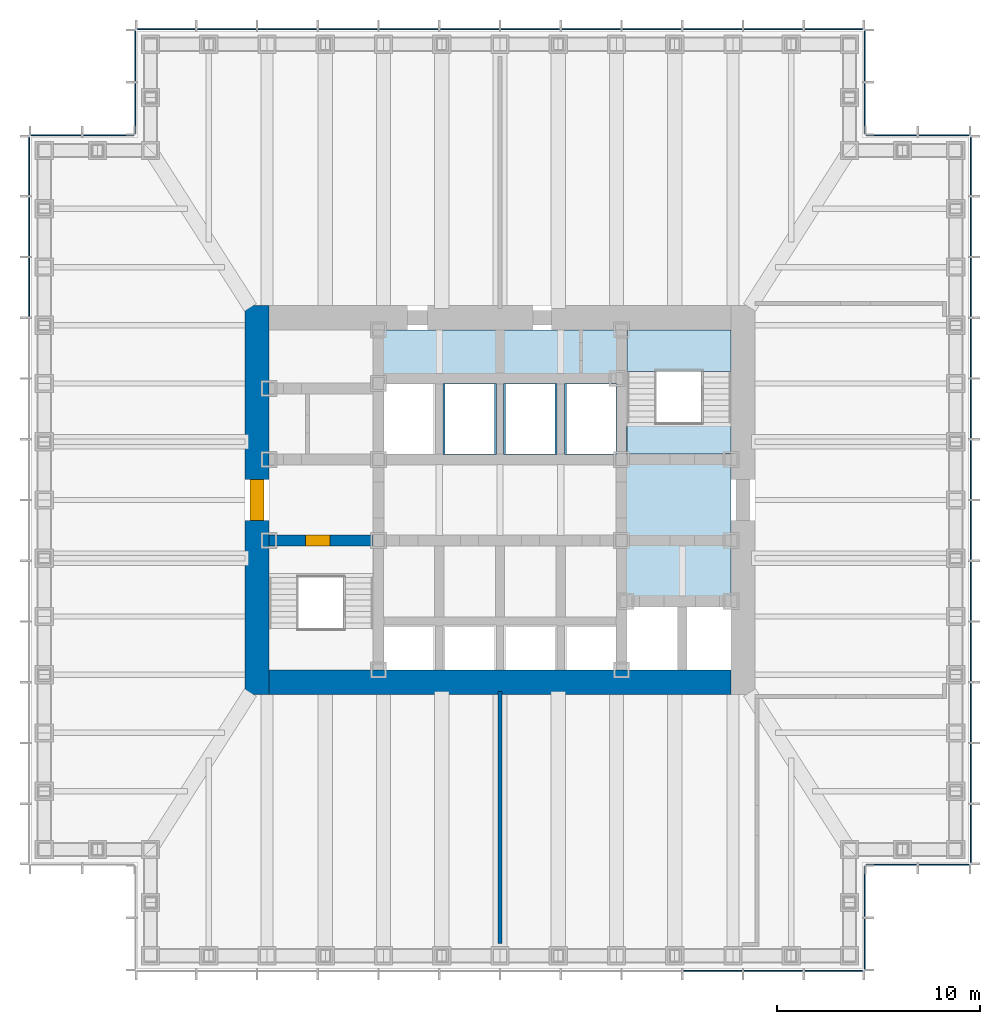
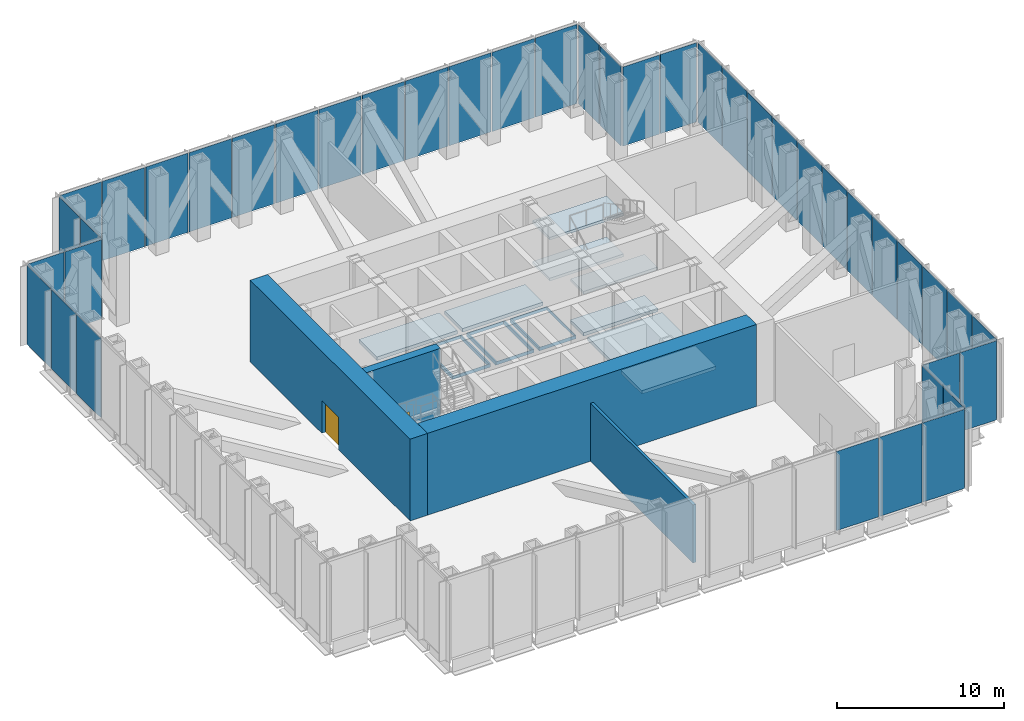
# One storey, part 6 of 13: 42 plates, 11 slabs, 4 walls, 2 doors, 2 openings, 11 elements without a shape of their own.
"""IFC4 building model written with IfcOpenShell, lengths in metres."""

from ifc_helpers import new_model, si_unit, direction, frame, frame_2d, origin, origin_2d, place, context, subcontext, project, spatial, polyline, rectangle, outline, extrude, material, layer, layer_set, type_object, element, fill, aggregate, save


model = new_model("IFC4")

# Units and contexts
model_context = context("Model", 3, precision=1e-05, world=origin(), true_north=direction((0.0, 1.0)))
body_context = subcontext(model_context, "Body", "Model", "MODEL_VIEW")
ifc_project = project(units=[si_unit("LENGTHUNIT", "METRE"), si_unit("AREAUNIT", "SQUARE_METRE"), si_unit("VOLUMEUNIT", "CUBIC_METRE"), si_unit("PLANEANGLEUNIT", "RADIAN"), si_unit("MASSUNIT", "GRAM", prefix="KILO")], contexts=[model_context])

# Site, building, storey
site_placement = place(None, origin())
site = spatial("IfcSite", under=ifc_project, at=site_placement, CompositionType="ELEMENT")
building_placement = place(site_placement, origin())
building = spatial("IfcBuilding", under=site, at=building_placement, Name="Daluyong Arena Tower", CompositionType="ELEMENT")
storey_placement = place(building_placement, frame((0.0, 0.0, 175.300048828125)))
storey = spatial("IfcBuildingStorey", under=building, at=storey_placement, Name="L39", CompositionType="ELEMENT", Elevation=175.300048828125)

# Curtain wall, plates
ifc_material_1 = material(Name="Bronze anodised aluminium and glass", Category="aluminium")
curtain_wall_type = type_object("IfcCurtainWallType", Name="Curtain wall CW6", PredefinedType="USERDEFINED", material=ifc_material_1)
curtain_wall_1_placement = place(storey_placement, origin())
curtain_wall_1 = element("IfcCurtainWall", 1, at=curtain_wall_1_placement, inside=storey, type_object=curtain_wall_type, Name="curtain wall L39 S", ObjectType="UNITISED CURTAIN WALL", PredefinedType="USERDEFINED")
ifc_material_2 = material(Name="Bronze aluminium louvre panel", Category="aluminium")
ifc_layer_1 = layer(ifc_material_2, 0.050048828125)
ifc_layer_set_1 = layer_set([ifc_layer_1], Name="Bronze aluminium louvre panel")
plate_type = type_object("IfcPlateType", Name="CW6 panel 50", PredefinedType="CURTAIN_PANEL", material=ifc_layer_set_1)
plate_1_placement = place(storey_placement, frame((66.5, 56.75, 0.0), z_axis=(0.0, 0.0, 1.0), x_axis=(1.0, 0.0, 0.0)))
plate_1 = element("IfcPlate", 2, at=plate_1_placement, type_object=plate_type, Name="curtain wall L39 S panel 10", PredefinedType="CURTAIN_PANEL", context=body_context, shape_type="SweptSolid", body=[
    extrude(rectangle(XDim=2.919921875, YDim=0.050048828125, at=origin_2d()), origin(), (0.0, 0.0, 1.0), 5.800048828125),
])
plate_2_placement = place(storey_placement, frame((69.5, 56.75, 0.0), z_axis=(0.0, 0.0, 1.0), x_axis=(1.0, 0.0, 0.0)))
plate_2 = element("IfcPlate", 3, at=plate_2_placement, type_object=plate_type, Name="curtain wall L39 S panel 11", PredefinedType="CURTAIN_PANEL", context=body_context, shape_type="SweptSolid", body=[
    extrude(rectangle(XDim=2.919921875, YDim=0.050048828125, at=origin_2d()), origin(), (0.0, 0.0, 1.0), 5.800048828125),
])
plate_3_placement = place(storey_placement, frame((72.47998046875, 56.75, 0.0), z_axis=(0.0, 0.0, 1.0), x_axis=(1.0, 0.0, 0.0)))
plate_3 = element("IfcPlate", 4, at=plate_3_placement, type_object=plate_type, Name="curtain wall L39 S panel 12", PredefinedType="CURTAIN_PANEL", context=body_context, shape_type="SweptSolid", body=[
    extrude(rectangle(XDim=2.8798828125, YDim=0.050048828125, at=origin_2d()), origin(), (0.0, 0.0, 1.0), 5.800048828125),
])
aggregate(curtain_wall_1, [plate_1, plate_2, plate_3])

curtain_wall_2_placement = place(storey_placement, origin())
curtain_wall_2 = element("IfcCurtainWall", 5, at=curtain_wall_2_placement, inside=storey, type_object=curtain_wall_type, Name="curtain wall L39 SE-E", ObjectType="UNITISED CURTAIN WALL", PredefinedType="USERDEFINED")
plate_4_placement = place(storey_placement, frame((74.0, 58.08251953125, 0.0), z_axis=(0.0, 0.0, 1.0), x_axis=(0.0, 1.0, 0.0)))
plate_4 = element("IfcPlate", 6, at=plate_4_placement, type_object=plate_type, Name="curtain wall L39 SE-E panel 1", PredefinedType="CURTAIN_PANEL", context=body_context, shape_type="SweptSolid", body=[
    extrude(rectangle(XDim=2.5048828125, YDim=0.050048828125, at=origin_2d()), origin(), (0.0, 0.0, 1.0), 5.800048828125),
])
plate_5_placement = place(storey_placement, frame((74.0, 60.66748046875, 0.0), z_axis=(0.0, 0.0, 1.0), x_axis=(0.0, 1.0, 0.0)))
plate_5 = element("IfcPlate", 7, at=plate_5_placement, type_object=plate_type, Name="curtain wall L39 SE-E panel 2", PredefinedType="CURTAIN_PANEL", context=body_context, shape_type="SweptSolid", body=[
    extrude(rectangle(XDim=2.5048828125, YDim=0.050048828125, at=origin_2d()), origin(), (0.0, 0.0, 1.0), 5.800048828125),
])
aggregate(curtain_wall_2, [plate_4, plate_5])

curtain_wall_3_placement = place(storey_placement, origin())
curtain_wall_3 = element("IfcCurtainWall", 8, at=curtain_wall_3_placement, inside=storey, type_object=curtain_wall_type, Name="curtain wall L39 SE-S", ObjectType="UNITISED CURTAIN WALL", PredefinedType="USERDEFINED")
plate_6_placement = place(storey_placement, frame((75.33251953125, 62.0, 0.0), z_axis=(0.0, 0.0, 1.0), x_axis=(1.0, 0.0, 0.0)))
plate_6 = element("IfcPlate", 9, at=plate_6_placement, type_object=plate_type, Name="curtain wall L39 SE-S panel 1", PredefinedType="CURTAIN_PANEL", context=body_context, shape_type="SweptSolid", body=[
    extrude(rectangle(XDim=2.5048828125, YDim=0.050048828125, at=origin_2d()), origin(), (0.0, 0.0, 1.0), 5.800048828125),
])
plate_7_placement = place(storey_placement, frame((77.91748046875, 62.0, 0.0), z_axis=(0.0, 0.0, 1.0), x_axis=(1.0, 0.0, 0.0)))
plate_7 = element("IfcPlate", 10, at=plate_7_placement, type_object=plate_type, Name="curtain wall L39 SE-S panel 2", PredefinedType="CURTAIN_PANEL", context=body_context, shape_type="SweptSolid", body=[
    extrude(rectangle(XDim=2.5048828125, YDim=0.050048828125, at=origin_2d()), origin(), (0.0, 0.0, 1.0), 5.800048828125),
])
aggregate(curtain_wall_3, [plate_6, plate_7])

curtain_wall_4_placement = place(storey_placement, origin())
curtain_wall_4 = element("IfcCurtainWall", 11, at=curtain_wall_4_placement, inside=storey, type_object=curtain_wall_type, Name="curtain wall L39 E", ObjectType="UNITISED CURTAIN WALL", PredefinedType="USERDEFINED")
plate_8_placement = place(storey_placement, frame((79.25, 63.52001953125, 0.0), z_axis=(0.0, 0.0, 1.0), x_axis=(0.0, 1.0, 0.0)))
plate_8 = element("IfcPlate", 12, at=plate_8_placement, type_object=plate_type, Name="curtain wall L39 E panel 1", PredefinedType="CURTAIN_PANEL", context=body_context, shape_type="SweptSolid", body=[
    extrude(rectangle(XDim=2.8798828125, YDim=0.050048828125, at=origin_2d()), origin(), (0.0, 0.0, 1.0), 5.800048828125),
])
plate_9_placement = place(storey_placement, frame((79.25, 66.5, 0.0), z_axis=(0.0, 0.0, 1.0), x_axis=(0.0, 1.0, 0.0)))
plate_9 = element("IfcPlate", 13, at=plate_9_placement, type_object=plate_type, Name="curtain wall L39 E panel 2", PredefinedType="CURTAIN_PANEL", context=body_context, shape_type="SweptSolid", body=[
    extrude(rectangle(XDim=2.919921875, YDim=0.050048828125, at=origin_2d()), origin(), (0.0, 0.0, 1.0), 5.800048828125),
])
plate_10_placement = place(storey_placement, frame((79.25, 69.5, 0.0), z_axis=(0.0, 0.0, 1.0), x_axis=(0.0, 1.0, 0.0)))
plate_10 = element("IfcPlate", 14, at=plate_10_placement, type_object=plate_type, Name="curtain wall L39 E panel 3", PredefinedType="CURTAIN_PANEL", context=body_context, shape_type="SweptSolid", body=[
    extrude(rectangle(XDim=2.919921875, YDim=0.050048828125, at=origin_2d()), origin(), (0.0, 0.0, 1.0), 5.800048828125),
])
plate_11_placement = place(storey_placement, frame((79.25, 72.5, 0.0), z_axis=(0.0, 0.0, 1.0), x_axis=(0.0, 1.0, 0.0)))
plate_11 = element("IfcPlate", 15, at=plate_11_placement, type_object=plate_type, Name="curtain wall L39 E panel 4", PredefinedType="CURTAIN_PANEL", context=body_context, shape_type="SweptSolid", body=[
    extrude(rectangle(XDim=2.919921875, YDim=0.050048828125, at=origin_2d()), origin(), (0.0, 0.0, 1.0), 5.800048828125),
])
plate_12_placement = place(storey_placement, frame((79.25, 75.5, 0.0), z_axis=(0.0, 0.0, 1.0), x_axis=(0.0, 1.0, 0.0)))
plate_12 = element("IfcPlate", 16, at=plate_12_placement, type_object=plate_type, Name="curtain wall L39 E panel 5", PredefinedType="CURTAIN_PANEL", context=body_context, shape_type="SweptSolid", body=[
    extrude(rectangle(XDim=2.919921875, YDim=0.050048828125, at=origin_2d()), origin(), (0.0, 0.0, 1.0), 5.800048828125),
])
plate_13_placement = place(storey_placement, frame((79.25, 78.5, 0.0), z_axis=(0.0, 0.0, 1.0), x_axis=(0.0, 1.0, 0.0)))
plate_13 = element("IfcPlate", 17, at=plate_13_placement, type_object=plate_type, Name="curtain wall L39 E panel 6", PredefinedType="CURTAIN_PANEL", context=body_context, shape_type="SweptSolid", body=[
    extrude(rectangle(XDim=2.919921875, YDim=0.050048828125, at=origin_2d()), origin(), (0.0, 0.0, 1.0), 5.800048828125),
])
plate_14_placement = place(storey_placement, frame((79.25, 81.5, 0.0), z_axis=(0.0, 0.0, 1.0), x_axis=(0.0, 1.0, 0.0)))
plate_14 = element("IfcPlate", 18, at=plate_14_placement, type_object=plate_type, Name="curtain wall L39 E panel 7", PredefinedType="CURTAIN_PANEL", context=body_context, shape_type="SweptSolid", body=[
    extrude(rectangle(XDim=2.919921875, YDim=0.050048828125, at=origin_2d()), origin(), (0.0, 0.0, 1.0), 5.800048828125),
])
plate_15_placement = place(storey_placement, frame((79.25, 84.5, 0.0), z_axis=(0.0, 0.0, 1.0), x_axis=(0.0, 1.0, 0.0)))
plate_15 = element("IfcPlate", 19, at=plate_15_placement, type_object=plate_type, Name="curtain wall L39 E panel 8", PredefinedType="CURTAIN_PANEL", context=body_context, shape_type="SweptSolid", body=[
    extrude(rectangle(XDim=2.919921875, YDim=0.050048828125, at=origin_2d()), origin(), (0.0, 0.0, 1.0), 5.800048828125),
])
plate_16_placement = place(storey_placement, frame((79.25, 87.5, 0.0), z_axis=(0.0, 0.0, 1.0), x_axis=(0.0, 1.0, 0.0)))
plate_16 = element("IfcPlate", 20, at=plate_16_placement, type_object=plate_type, Name="curtain wall L39 E panel 9", PredefinedType="CURTAIN_PANEL", context=body_context, shape_type="SweptSolid", body=[
    extrude(rectangle(XDim=2.919921875, YDim=0.050048828125, at=origin_2d()), origin(), (0.0, 0.0, 1.0), 5.800048828125),
])
plate_17_placement = place(storey_placement, frame((79.25, 90.5, 0.0), z_axis=(0.0, 0.0, 1.0), x_axis=(0.0, 1.0, 0.0)))
plate_17 = element("IfcPlate", 21, at=plate_17_placement, type_object=plate_type, Name="curtain wall L39 E panel 10", PredefinedType="CURTAIN_PANEL", context=body_context, shape_type="SweptSolid", body=[
    extrude(rectangle(XDim=2.919921875, YDim=0.050048828125, at=origin_2d()), origin(), (0.0, 0.0, 1.0), 5.800048828125),
])
plate_18_placement = place(storey_placement, frame((79.25, 93.5, 0.0), z_axis=(0.0, 0.0, 1.0), x_axis=(0.0, 1.0, 0.0)))
plate_18 = element("IfcPlate", 22, at=plate_18_placement, type_object=plate_type, Name="curtain wall L39 E panel 11", PredefinedType="CURTAIN_PANEL", context=body_context, shape_type="SweptSolid", body=[
    extrude(rectangle(XDim=2.919921875, YDim=0.050048828125, at=origin_2d()), origin(), (0.0, 0.0, 1.0), 5.800048828125),
])
plate_19_placement = place(storey_placement, frame((79.25, 96.47998046875, 0.0), z_axis=(0.0, 0.0, 1.0), x_axis=(0.0, 1.0, 0.0)))
plate_19 = element("IfcPlate", 23, at=plate_19_placement, type_object=plate_type, Name="curtain wall L39 E panel 12", PredefinedType="CURTAIN_PANEL", context=body_context, shape_type="SweptSolid", body=[
    extrude(rectangle(XDim=2.8798828125, YDim=0.050048828125, at=origin_2d()), origin(), (0.0, 0.0, 1.0), 5.800048828125),
])
aggregate(curtain_wall_4, [plate_8, plate_9, plate_10, plate_11, plate_12, plate_13, plate_14, plate_15, plate_16, plate_17, plate_18, plate_19])

curtain_wall_5_placement = place(storey_placement, origin())
curtain_wall_5 = element("IfcCurtainWall", 24, at=curtain_wall_5_placement, inside=storey, type_object=curtain_wall_type, Name="curtain wall L39 NE-N", ObjectType="UNITISED CURTAIN WALL", PredefinedType="USERDEFINED")
plate_20_placement = place(storey_placement, frame((77.91748046875, 98.0, 0.0), z_axis=(0.0, 0.0, 1.0), x_axis=(-1.0, 0.0, 0.0)))
plate_20 = element("IfcPlate", 25, at=plate_20_placement, type_object=plate_type, Name="curtain wall L39 NE-N panel 1", PredefinedType="CURTAIN_PANEL", context=body_context, shape_type="SweptSolid", body=[
    extrude(rectangle(XDim=2.5048828125, YDim=0.050048828125, at=origin_2d()), origin(), (0.0, 0.0, 1.0), 5.800048828125),
])
plate_21_placement = place(storey_placement, frame((75.33251953125, 98.0, 0.0), z_axis=(0.0, 0.0, 1.0), x_axis=(-1.0, 0.0, 0.0)))
plate_21 = element("IfcPlate", 26, at=plate_21_placement, type_object=plate_type, Name="curtain wall L39 NE-N panel 2", PredefinedType="CURTAIN_PANEL", context=body_context, shape_type="SweptSolid", body=[
    extrude(rectangle(XDim=2.5048828125, YDim=0.050048828125, at=origin_2d()), origin(), (0.0, 0.0, 1.0), 5.800048828125),
])
aggregate(curtain_wall_5, [plate_20, plate_21])

curtain_wall_6_placement = place(storey_placement, origin())
curtain_wall_6 = element("IfcCurtainWall", 27, at=curtain_wall_6_placement, inside=storey, type_object=curtain_wall_type, Name="curtain wall L39 NE-E", ObjectType="UNITISED CURTAIN WALL", PredefinedType="USERDEFINED")
plate_22_placement = place(storey_placement, frame((74.0, 99.33251953125, 0.0), z_axis=(0.0, 0.0, 1.0), x_axis=(0.0, 1.0, 0.0)))
plate_22 = element("IfcPlate", 28, at=plate_22_placement, type_object=plate_type, Name="curtain wall L39 NE-E panel 1", PredefinedType="CURTAIN_PANEL", context=body_context, shape_type="SweptSolid", body=[
    extrude(rectangle(XDim=2.5048828125, YDim=0.050048828125, at=origin_2d()), origin(), (0.0, 0.0, 1.0), 5.800048828125),
])
plate_23_placement = place(storey_placement, frame((74.0, 101.91748046875, 0.0), z_axis=(0.0, 0.0, 1.0), x_axis=(0.0, 1.0, 0.0)))
plate_23 = element("IfcPlate", 29, at=plate_23_placement, type_object=plate_type, Name="curtain wall L39 NE-E panel 2", PredefinedType="CURTAIN_PANEL", context=body_context, shape_type="SweptSolid", body=[
    extrude(rectangle(XDim=2.5048828125, YDim=0.050048828125, at=origin_2d()), origin(), (0.0, 0.0, 1.0), 5.800048828125),
])
aggregate(curtain_wall_6, [plate_22, plate_23])

curtain_wall_7_placement = place(storey_placement, origin())
curtain_wall_7 = element("IfcCurtainWall", 30, at=curtain_wall_7_placement, inside=storey, type_object=curtain_wall_type, Name="curtain wall L39 N", ObjectType="UNITISED CURTAIN WALL", PredefinedType="USERDEFINED")
plate_24_placement = place(storey_placement, frame((72.47998046875, 103.25, 0.0), z_axis=(0.0, 0.0, 1.0), x_axis=(-1.0, 0.0, 0.0)))
plate_24 = element("IfcPlate", 31, at=plate_24_placement, type_object=plate_type, Name="curtain wall L39 N panel 1", PredefinedType="CURTAIN_PANEL", context=body_context, shape_type="SweptSolid", body=[
    extrude(rectangle(XDim=2.8798828125, YDim=0.050048828125, at=origin_2d()), origin(), (0.0, 0.0, 1.0), 5.800048828125),
])
plate_25_placement = place(storey_placement, frame((69.5, 103.25, 0.0), z_axis=(0.0, 0.0, 1.0), x_axis=(-1.0, 0.0, 0.0)))
plate_25 = element("IfcPlate", 32, at=plate_25_placement, type_object=plate_type, Name="curtain wall L39 N panel 2", PredefinedType="CURTAIN_PANEL", context=body_context, shape_type="SweptSolid", body=[
    extrude(rectangle(XDim=2.919921875, YDim=0.050048828125, at=origin_2d()), origin(), (0.0, 0.0, 1.0), 5.800048828125),
])
plate_26_placement = place(storey_placement, frame((66.5, 103.25, 0.0), z_axis=(0.0, 0.0, 1.0), x_axis=(-1.0, 0.0, 0.0)))
plate_26 = element("IfcPlate", 33, at=plate_26_placement, type_object=plate_type, Name="curtain wall L39 N panel 3", PredefinedType="CURTAIN_PANEL", context=body_context, shape_type="SweptSolid", body=[
    extrude(rectangle(XDim=2.919921875, YDim=0.050048828125, at=origin_2d()), origin(), (0.0, 0.0, 1.0), 5.800048828125),
])
plate_27_placement = place(storey_placement, frame((63.5, 103.25, 0.0), z_axis=(0.0, 0.0, 1.0), x_axis=(-1.0, 0.0, 0.0)))
plate_27 = element("IfcPlate", 34, at=plate_27_placement, type_object=plate_type, Name="curtain wall L39 N panel 4", PredefinedType="CURTAIN_PANEL", context=body_context, shape_type="SweptSolid", body=[
    extrude(rectangle(XDim=2.919921875, YDim=0.050048828125, at=origin_2d()), origin(), (0.0, 0.0, 1.0), 5.800048828125),
])
plate_28_placement = place(storey_placement, frame((60.5, 103.25, 0.0), z_axis=(0.0, 0.0, 1.0), x_axis=(-1.0, 0.0, 0.0)))
plate_28 = element("IfcPlate", 35, at=plate_28_placement, type_object=plate_type, Name="curtain wall L39 N panel 5", PredefinedType="CURTAIN_PANEL", context=body_context, shape_type="SweptSolid", body=[
    extrude(rectangle(XDim=2.919921875, YDim=0.050048828125, at=origin_2d()), origin(), (0.0, 0.0, 1.0), 5.800048828125),
])
plate_29_placement = place(storey_placement, frame((57.5, 103.25, 0.0), z_axis=(0.0, 0.0, 1.0), x_axis=(-1.0, 0.0, 0.0)))
plate_29 = element("IfcPlate", 36, at=plate_29_placement, type_object=plate_type, Name="curtain wall L39 N panel 6", PredefinedType="CURTAIN_PANEL", context=body_context, shape_type="SweptSolid", body=[
    extrude(rectangle(XDim=2.919921875, YDim=0.050048828125, at=origin_2d()), origin(), (0.0, 0.0, 1.0), 5.800048828125),
])
plate_30_placement = place(storey_placement, frame((54.5, 103.25, 0.0), z_axis=(0.0, 0.0, 1.0), x_axis=(-1.0, 0.0, 0.0)))
plate_30 = element("IfcPlate", 37, at=plate_30_placement, type_object=plate_type, Name="curtain wall L39 N panel 7", PredefinedType="CURTAIN_PANEL", context=body_context, shape_type="SweptSolid", body=[
    extrude(rectangle(XDim=2.919921875, YDim=0.050048828125, at=origin_2d()), origin(), (0.0, 0.0, 1.0), 5.800048828125),
])
plate_31_placement = place(storey_placement, frame((51.5, 103.25, 0.0), z_axis=(0.0, 0.0, 1.0), x_axis=(-1.0, 0.0, 0.0)))
plate_31 = element("IfcPlate", 38, at=plate_31_placement, type_object=plate_type, Name="curtain wall L39 N panel 8", PredefinedType="CURTAIN_PANEL", context=body_context, shape_type="SweptSolid", body=[
    extrude(rectangle(XDim=2.919921875, YDim=0.050048828125, at=origin_2d()), origin(), (0.0, 0.0, 1.0), 5.800048828125),
])
plate_32_placement = place(storey_placement, frame((48.5, 103.25, 0.0), z_axis=(0.0, 0.0, 1.0), x_axis=(-1.0, 0.0, 0.0)))
plate_32 = element("IfcPlate", 39, at=plate_32_placement, type_object=plate_type, Name="curtain wall L39 N panel 9", PredefinedType="CURTAIN_PANEL", context=body_context, shape_type="SweptSolid", body=[
    extrude(rectangle(XDim=2.919921875, YDim=0.050048828125, at=origin_2d()), origin(), (0.0, 0.0, 1.0), 5.800048828125),
])
plate_33_placement = place(storey_placement, frame((45.5, 103.25, 0.0), z_axis=(0.0, 0.0, 1.0), x_axis=(-1.0, 0.0, 0.0)))
plate_33 = element("IfcPlate", 40, at=plate_33_placement, type_object=plate_type, Name="curtain wall L39 N panel 10", PredefinedType="CURTAIN_PANEL", context=body_context, shape_type="SweptSolid", body=[
    extrude(rectangle(XDim=2.919921875, YDim=0.050048828125, at=origin_2d()), origin(), (0.0, 0.0, 1.0), 5.800048828125),
])
plate_34_placement = place(storey_placement, frame((42.5, 103.25, 0.0), z_axis=(0.0, 0.0, 1.0), x_axis=(-1.0, 0.0, 0.0)))
plate_34 = element("IfcPlate", 41, at=plate_34_placement, type_object=plate_type, Name="curtain wall L39 N panel 11", PredefinedType="CURTAIN_PANEL", context=body_context, shape_type="SweptSolid", body=[
    extrude(rectangle(XDim=2.919921875, YDim=0.050048828125, at=origin_2d()), origin(), (0.0, 0.0, 1.0), 5.800048828125),
])
plate_35_placement = place(storey_placement, frame((39.52001953125, 103.25, 0.0), z_axis=(0.0, 0.0, 1.0), x_axis=(-1.0, 0.0, 0.0)))
plate_35 = element("IfcPlate", 42, at=plate_35_placement, type_object=plate_type, Name="curtain wall L39 N panel 12", PredefinedType="CURTAIN_PANEL", context=body_context, shape_type="SweptSolid", body=[
    extrude(rectangle(XDim=2.8798828125, YDim=0.050048828125, at=origin_2d()), origin(), (0.0, 0.0, 1.0), 5.800048828125),
])
aggregate(curtain_wall_7, [plate_24, plate_25, plate_26, plate_27, plate_28, plate_29, plate_30, plate_31, plate_32, plate_33, plate_34, plate_35])

curtain_wall_8_placement = place(storey_placement, origin())
curtain_wall_8 = element("IfcCurtainWall", 43, at=curtain_wall_8_placement, inside=storey, type_object=curtain_wall_type, Name="curtain wall L39 NW-W", ObjectType="UNITISED CURTAIN WALL", PredefinedType="USERDEFINED")
plate_36_placement = place(storey_placement, frame((38.0, 101.91748046875, 0.0), z_axis=(0.0, 0.0, 1.0), x_axis=(0.0, -1.0, 0.0)))
plate_36 = element("IfcPlate", 44, at=plate_36_placement, type_object=plate_type, Name="curtain wall L39 NW-W panel 1", PredefinedType="CURTAIN_PANEL", context=body_context, shape_type="SweptSolid", body=[
    extrude(rectangle(XDim=2.5048828125, YDim=0.050048828125, at=origin_2d()), origin(), (0.0, 0.0, 1.0), 5.800048828125),
])
plate_37_placement = place(storey_placement, frame((38.0, 99.33251953125, 0.0), z_axis=(0.0, 0.0, 1.0), x_axis=(0.0, -1.0, 0.0)))
plate_37 = element("IfcPlate", 45, at=plate_37_placement, type_object=plate_type, Name="curtain wall L39 NW-W panel 2", PredefinedType="CURTAIN_PANEL", context=body_context, shape_type="SweptSolid", body=[
    extrude(rectangle(XDim=2.5048828125, YDim=0.050048828125, at=origin_2d()), origin(), (0.0, 0.0, 1.0), 5.800048828125),
])
aggregate(curtain_wall_8, [plate_36, plate_37])

curtain_wall_9_placement = place(storey_placement, origin())
curtain_wall_9 = element("IfcCurtainWall", 46, at=curtain_wall_9_placement, inside=storey, type_object=curtain_wall_type, Name="curtain wall L39 NW-N", ObjectType="UNITISED CURTAIN WALL", PredefinedType="USERDEFINED")
plate_38_placement = place(storey_placement, frame((36.66748046875, 98.0, 0.0), z_axis=(0.0, 0.0, 1.0), x_axis=(-1.0, 0.0, 0.0)))
plate_38 = element("IfcPlate", 47, at=plate_38_placement, type_object=plate_type, Name="curtain wall L39 NW-N panel 1", PredefinedType="CURTAIN_PANEL", context=body_context, shape_type="SweptSolid", body=[
    extrude(rectangle(XDim=2.5048828125, YDim=0.050048828125, at=origin_2d()), origin(), (0.0, 0.0, 1.0), 5.800048828125),
])
plate_39_placement = place(storey_placement, frame((34.08251953125, 98.0, 0.0), z_axis=(0.0, 0.0, 1.0), x_axis=(-1.0, 0.0, 0.0)))
plate_39 = element("IfcPlate", 48, at=plate_39_placement, type_object=plate_type, Name="curtain wall L39 NW-N panel 2", PredefinedType="CURTAIN_PANEL", context=body_context, shape_type="SweptSolid", body=[
    extrude(rectangle(XDim=2.5048828125, YDim=0.050048828125, at=origin_2d()), origin(), (0.0, 0.0, 1.0), 5.800048828125),
])
aggregate(curtain_wall_9, [plate_38, plate_39])

curtain_wall_10_placement = place(storey_placement, origin())
curtain_wall_10 = element("IfcCurtainWall", 49, at=curtain_wall_10_placement, inside=storey, type_object=curtain_wall_type, Name="curtain wall L39 W", ObjectType="UNITISED CURTAIN WALL", PredefinedType="USERDEFINED")
plate_40_placement = place(storey_placement, frame((32.75, 96.47998046875, 0.0), z_axis=(0.0, 0.0, 1.0), x_axis=(0.0, -1.0, 0.0)))
plate_40 = element("IfcPlate", 50, at=plate_40_placement, type_object=plate_type, Name="curtain wall L39 W panel 1", PredefinedType="CURTAIN_PANEL", context=body_context, shape_type="SweptSolid", body=[
    extrude(rectangle(XDim=2.8798828125, YDim=0.050048828125, at=origin_2d()), origin(), (0.0, 0.0, 1.0), 5.800048828125),
])
plate_41_placement = place(storey_placement, frame((32.75, 93.5, 0.0), z_axis=(0.0, 0.0, 1.0), x_axis=(0.0, -1.0, 0.0)))
plate_41 = element("IfcPlate", 51, at=plate_41_placement, type_object=plate_type, Name="curtain wall L39 W panel 2", PredefinedType="CURTAIN_PANEL", context=body_context, shape_type="SweptSolid", body=[
    extrude(rectangle(XDim=2.919921875, YDim=0.050048828125, at=origin_2d()), origin(), (0.0, 0.0, 1.0), 5.800048828125),
])
plate_42_placement = place(storey_placement, frame((32.75, 90.5, 0.0), z_axis=(0.0, 0.0, 1.0), x_axis=(0.0, -1.0, 0.0)))
plate_42 = element("IfcPlate", 52, at=plate_42_placement, type_object=plate_type, Name="curtain wall L39 W panel 3", PredefinedType="CURTAIN_PANEL", context=body_context, shape_type="SweptSolid", body=[
    extrude(rectangle(XDim=2.919921875, YDim=0.050048828125, at=origin_2d()), origin(), (0.0, 0.0, 1.0), 5.800048828125),
])
aggregate(curtain_wall_10, [plate_40, plate_41, plate_42])

# Slabs
ifc_material_3 = material(Name="Concrete fc' 35 MPa", Category="concrete")
ifc_layer_2 = layer(ifc_material_3, 0.25)
ifc_layer_set_2 = layer_set([ifc_layer_2], Name="Concrete fc' 35 MPa")
slab_type_1 = type_object("IfcSlabType", Name="Plant floor slab 250", PredefinedType="FLOOR", material=ifc_layer_set_2)
slab_1_placement = place(storey_placement, frame((0.0, 0.0, -0.25)))
element("IfcSlab", 53, at=slab_1_placement, inside=storey, type_object=slab_type_1, Name="floor L39 part 8", PredefinedType="FLOOR", context=body_context, shape_type="SweptSolid", body=[
    extrude(outline(polyline([(55.824951171875, 88.39990234375), (50.25, 88.39990234375), (50.25, 86.25), (55.824951171875, 86.25), (55.824951171875, 88.39990234375)])), origin(), (0.0, 0.0, 1.0), 0.25),
])
slab_2_placement = place(storey_placement, frame((0.0, 0.0, -0.25)))
element("IfcSlab", 54, at=slab_2_placement, inside=storey, type_object=slab_type_1, Name="floor L39 part 11", PredefinedType="FLOOR", context=body_context, shape_type="SweptSolid", body=[
    extrude(outline(polyline([(55.824951171875, 85.75), (53.175048828125, 85.75), (53.175048828125, 82.25), (55.824951171875, 82.25), (55.824951171875, 85.75)]), holes=[polyline([(55.72509765625, 85.72509765625), (55.72509765625, 82.27490234375), (53.27490234375, 82.27490234375), (53.27490234375, 85.72509765625), (55.72509765625, 85.72509765625)])]), origin(), (0.0, 0.0, 1.0), 0.25),
])
slab_3_placement = place(storey_placement, frame((0.0, 0.0, -0.25)))
element("IfcSlab", 55, at=slab_3_placement, inside=storey, type_object=slab_type_1, Name="floor L39 part 16", PredefinedType="FLOOR", context=body_context, shape_type="SweptSolid", body=[
    extrude(outline(polyline([(58.824951171875, 85.75), (56.175048828125, 85.75), (56.175048828125, 82.25), (58.824951171875, 82.25), (58.824951171875, 85.75)]), holes=[polyline([(56.27490234375, 85.72509765625), (58.72509765625, 85.72509765625), (58.72509765625, 82.27490234375), (56.27490234375, 82.27490234375), (56.27490234375, 85.72509765625)])]), origin(), (0.0, 0.0, 1.0), 0.25),
])
slab_4_placement = place(storey_placement, frame((0.0, 0.0, -0.25)))
element("IfcSlab", 56, at=slab_4_placement, inside=storey, type_object=slab_type_1, Name="floor L39 part 17", PredefinedType="FLOOR", context=body_context, shape_type="SweptSolid", body=[
    extrude(outline(polyline([(56.175048828125, 88.39990234375), (56.175048828125, 86.25), (61.75, 86.25), (61.75, 88.39990234375), (56.175048828125, 88.39990234375)])), origin(), (0.0, 0.0, 1.0), 0.25),
])
slab_5_placement = place(storey_placement, frame((0.0, 0.0, -0.25)))
element("IfcSlab", 57, at=slab_5_placement, inside=storey, type_object=slab_type_1, Name="floor L39 part 18", PredefinedType="FLOOR", context=body_context, shape_type="SweptSolid", body=[
    extrude(outline(polyline([(59.175048828125, 85.75), (59.175048828125, 82.25), (61.75, 82.25), (61.75, 85.75), (59.175048828125, 85.75)]), holes=[polyline([(61.72509765625, 85.72509765625), (61.72509765625, 82.27490234375), (59.27490234375, 82.27490234375), (59.27490234375, 85.72509765625), (61.72509765625, 85.72509765625)])]), origin(), (0.0, 0.0, 1.0), 0.25),
])
slab_6_placement = place(storey_placement, frame((0.0, 0.0, -0.25)))
element("IfcSlab", 58, at=slab_6_placement, inside=storey, type_object=slab_type_1, Name="floor L39 part 21", PredefinedType="FLOOR", context=body_context, shape_type="SweptSolid", body=[
    extrude(outline(polyline([(62.25, 82.25), (67.39990234375, 82.25), (67.39990234375, 83.824951171875), (62.25, 83.824951171875), (62.25, 82.25)])), origin(), (0.0, 0.0, 1.0), 0.25),
])
slab_7_placement = place(storey_placement, frame((0.0, 0.0, -0.25)))
element("IfcSlab", 59, at=slab_7_placement, inside=storey, type_object=slab_type_1, Name="floor L39 part 22", PredefinedType="FLOOR", context=body_context, shape_type="SweptSolid", body=[
    extrude(outline(polyline([(62.25, 75.25), (67.39990234375, 75.25), (67.39990234375, 77.75), (62.25, 77.75), (62.25, 75.25)])), origin(), (0.0, 0.0, 1.0), 0.25),
])
slab_8_placement = place(storey_placement, frame((0.0, 0.0, -0.25)))
element("IfcSlab", 60, at=slab_8_placement, inside=storey, type_object=slab_type_1, Name="floor L39 part 23", PredefinedType="FLOOR", context=body_context, shape_type="SweptSolid", body=[
    extrude(outline(polyline([(62.25, 78.25), (67.39990234375, 78.25), (67.39990234375, 81.75), (62.25, 81.75), (62.25, 78.25)])), origin(), (0.0, 0.0, 1.0), 0.25),
])

# Stair, slabs
ifc_material_4 = material(Name="Concrete fc' 35 MPa", Category="concrete")
stair_type = type_object("IfcStairType", Name="Core exit stair", PredefinedType="HALF_TURN_STAIR", material=ifc_material_4)
stair_placement = place(storey_placement, origin())
stair = element("IfcStair", 61, at=stair_placement, inside=storey, type_object=stair_type, Name="exit stair B L39", PredefinedType="HALF_TURN_STAIR")
ifc_material_5 = material(Name="Concrete fc' 35 MPa", Category="concrete")
ifc_layer_3 = layer(ifc_material_5, 0.199951171875)
ifc_layer_set_3 = layer_set([ifc_layer_3], Name="Concrete fc' 35 MPa")
slab_type_2 = type_object("IfcSlabType", Name="Stair landing 200", PredefinedType="LANDING", material=ifc_layer_set_3)
slab_9_placement = place(storey_placement, frame((0.0, 0.0, 1.300048828125)))
slab_9 = element("IfcSlab", 62, at=slab_9_placement, type_object=slab_type_2, Name="STB landing 1", PredefinedType="LANDING", context=body_context, shape_type="SweptSolid", body=[
    extrude(outline(polyline([(62.27490234375, 86.344970703125), (67.39990234375, 86.344970703125), (67.39990234375, 88.39990234375), (62.27490234375, 88.39990234375), (62.27490234375, 86.344970703125)])), origin(), (0.0, 0.0, 1.0), 0.199951171875),
])
slab_10_placement = place(storey_placement, frame((0.0, 0.0, 2.800048828125)))
slab_10 = element("IfcSlab", 63, at=slab_10_placement, type_object=slab_type_2, Name="STB landing 2", PredefinedType="LANDING", context=body_context, shape_type="SweptSolid", body=[
    extrude(outline(polyline([(62.27490234375, 82.27490234375), (67.39990234375, 82.27490234375), (67.39990234375, 83.824951171875), (62.27490234375, 83.824951171875), (62.27490234375, 82.27490234375)])), origin(), (0.0, 0.0, 1.0), 0.199951171875),
])
slab_11_placement = place(storey_placement, frame((0.0, 0.0, 4.300048828125)))
slab_11 = element("IfcSlab", 64, at=slab_11_placement, type_object=slab_type_2, Name="STB landing 3", PredefinedType="LANDING", context=body_context, shape_type="SweptSolid", body=[
    extrude(outline(polyline([(62.27490234375, 86.344970703125), (67.39990234375, 86.344970703125), (67.39990234375, 88.39990234375), (62.27490234375, 88.39990234375), (62.27490234375, 86.344970703125)])), origin(), (0.0, 0.0, 1.0), 0.199951171875),
])
aggregate(stair, [slab_9, slab_10, slab_11])

# Wall, opening, door
ifc_material_6 = material(Name="Concrete fc' 45 MPa", Category="concrete")
ifc_layer_4 = layer(ifc_material_6, 0.550048828125)
ifc_layer_set_4 = layer_set([ifc_layer_4], Name="Concrete fc' 45 MPa")
wall_type_1 = type_object("IfcWallType", Name="Core inner wall 550", PredefinedType="SHEAR", material=ifc_layer_set_4)
wall_1_placement = place(storey_placement, frame((44.60009765625, 78.0, 0.0), z_axis=(0.0, 0.0, 1.0), x_axis=(1.0, 0.0, 0.0)))
wall_1 = element("IfcWall", 65, at=wall_1_placement, inside=storey, type_object=wall_type_1, Name="core inner wall at L39", PredefinedType="SHEAR", context=body_context, shape_type="SweptSolid", body=[
    extrude(rectangle(XDim=5.125, YDim=0.550048828125, at=frame_2d((2.5625, 0.0))), origin(), (0.0, 0.0, 1.0), 6.0),
])
opening_1_placement = place(wall_1_placement, frame((1.800048828125, 0.0, 0.0)))
opening_1 = element("IfcOpeningElement", 66, at=opening_1_placement, cuts=wall_1, Name="Opening 39011", PredefinedType="OPENING", context=body_context, shape_type="SweptSolid", body=[
    extrude(rectangle(XDim=1.199951171875, YDim=2.10009765625, at=frame_2d((0.60009765625, 1.050048828125))), frame((0.0, 0.284912109375, 0.0), z_axis=(0.0, -1.0, 0.0), x_axis=(1.0, 0.0, 0.0)), (0.0, 0.0, 1.0), 0.570068359375),
])
ifc_material_7 = material(Name="Steel door, fire rated", Category="steel")
door_type_1 = type_object("IfcDoorType", Name="Stair door 1200", OperationType="SINGLE_SWING_LEFT", PredefinedType="DOOR", material=ifc_material_7)
door_1_placement = place(opening_1_placement, origin())
door_1 = element("IfcDoor", 67, at=door_1_placement, inside=storey, type_object=door_type_1, Name="stair A door 39011", OperationType="SINGLE_SWING_LEFT", OverallHeight=2.10009765625, OverallWidth=1.199951171875, PredefinedType="DOOR", context=body_context, shape_type="SweptSolid", body=[
    extrude(rectangle(XDim=1.199951171875, YDim=2.10009765625, at=frame_2d((0.60009765625, 1.050048828125))), frame((0.0, 0.27490234375, 0.0), z_axis=(0.0, -1.0, 0.0), x_axis=(1.0, 0.0, 0.0)), (0.0, 0.0, 1.0), 0.549560546875),
])
fill(opening_1, door_1)

ifc_material_8 = material(Name="Concrete fc' 60 MPa", Category="concrete")
ifc_layer_5 = layer(ifc_material_8, 1.199951171875)
ifc_layer_set_5 = layer_set([ifc_layer_5], Name="Concrete fc' 60 MPa")
wall_type_2 = type_object("IfcWallType", Name="Core wall 1200", PredefinedType="SHEAR", material=ifc_layer_set_5)
wall_2_placement = place(storey_placement, frame((44.0, 70.39990234375, 0.0), z_axis=(0.0, 0.0, 1.0), x_axis=(0.0, 1.0, 0.0)))
wall_2 = element("IfcWall", 68, at=wall_2_placement, inside=storey, type_object=wall_type_2, Name="core wall at L39", PredefinedType="SHEAR", context=body_context, shape_type="SweptSolid", body=[
    extrude(rectangle(XDim=19.2001953125, YDim=1.199951171875, at=frame_2d((9.60009765625, 0.0))), origin(), (0.0, 0.0, 1.0), 6.0),
])
opening_2_placement = place(wall_2_placement, frame((8.60009765625, 0.0, 0.0)))
opening_2 = element("IfcOpeningElement", 69, at=opening_2_placement, cuts=wall_2, Name="Opening 39013", PredefinedType="OPENING", context=body_context, shape_type="SweptSolid", body=[
    extrude(rectangle(XDim=2.0, YDim=2.39990234375, at=frame_2d((1.0, 1.199951171875))), frame((0.0, 0.60986328125, 0.0), z_axis=(0.0, -1.0, 0.0), x_axis=(1.0, 0.0, 0.0)), (0.0, 0.0, 1.0), 1.219970703125),
])
ifc_material_9 = material(Name="Steel door, fire rated", Category="steel")
door_type_2 = type_object("IfcDoorType", Name="Core lobby double door 2000", OperationType="DOUBLE_DOOR_SINGLE_SWING", PredefinedType="DOOR", material=ifc_material_9)
door_2_placement = place(opening_2_placement, origin())
door_2 = element("IfcDoor", 70, at=door_2_placement, inside=storey, type_object=door_type_2, Name="refuge area door 39013", OperationType="DOUBLE_DOOR_SINGLE_SWING", OverallHeight=2.39990234375, OverallWidth=2.0, PredefinedType="DOOR", context=body_context, shape_type="SweptSolid", body=[
    extrude(rectangle(XDim=2.0, YDim=2.39990234375, at=frame_2d((1.0, 1.199951171875))), frame((0.0, 0.35009765625, 0.0), z_axis=(0.0, -1.0, 0.0), x_axis=(1.0, 0.0, 0.0)), (0.0, 0.0, 1.0), 0.699951171875),
])
fill(opening_2, door_2)

# Walls
wall_3_placement = place(storey_placement, frame((44.60009765625, 71.0, 0.0), z_axis=(0.0, 0.0, 1.0), x_axis=(1.0, 0.0, 0.0)))
element("IfcWall", 71, at=wall_3_placement, inside=storey, type_object=wall_type_2, Name="core wall at L39", PredefinedType="SHEAR", context=body_context, shape_type="SweptSolid", body=[
    extrude(rectangle(XDim=22.7998046875, YDim=1.199951171875, at=frame_2d((11.39990234375, 0.0))), origin(), (0.0, 0.0, 1.0), 6.0),
])
ifc_material_10 = material(Name="Concrete block partition, fire rated", Category="concrete")
ifc_layer_6 = layer(ifc_material_10, 0.199951171875)
ifc_layer_set_6 = layer_set([ifc_layer_6], Name="Concrete block partition, fire rated")
wall_type_3 = type_object("IfcWallType", Name="Fire-rated partition 200", PredefinedType="PARTITIONING", material=ifc_layer_set_6)
wall_4_placement = place(storey_placement, frame((56.0, 58.10009765625, 0.0), z_axis=(0.0, 0.0, 1.0), x_axis=(0.0, 1.0, 0.0)))
element("IfcWall", 72, at=wall_4_placement, inside=storey, type_object=wall_type_3, Name="refuge separation wall at L39", PredefinedType="PARTITIONING", context=body_context, shape_type="SweptSolid", body=[
    extrude(rectangle(XDim=12.449951171875, YDim=0.199951171875, at=frame_2d((6.22509765625, 0.0))), origin(), (0.0, 0.0, 1.0), 4.25),
])

save(model, "model.ifc")
